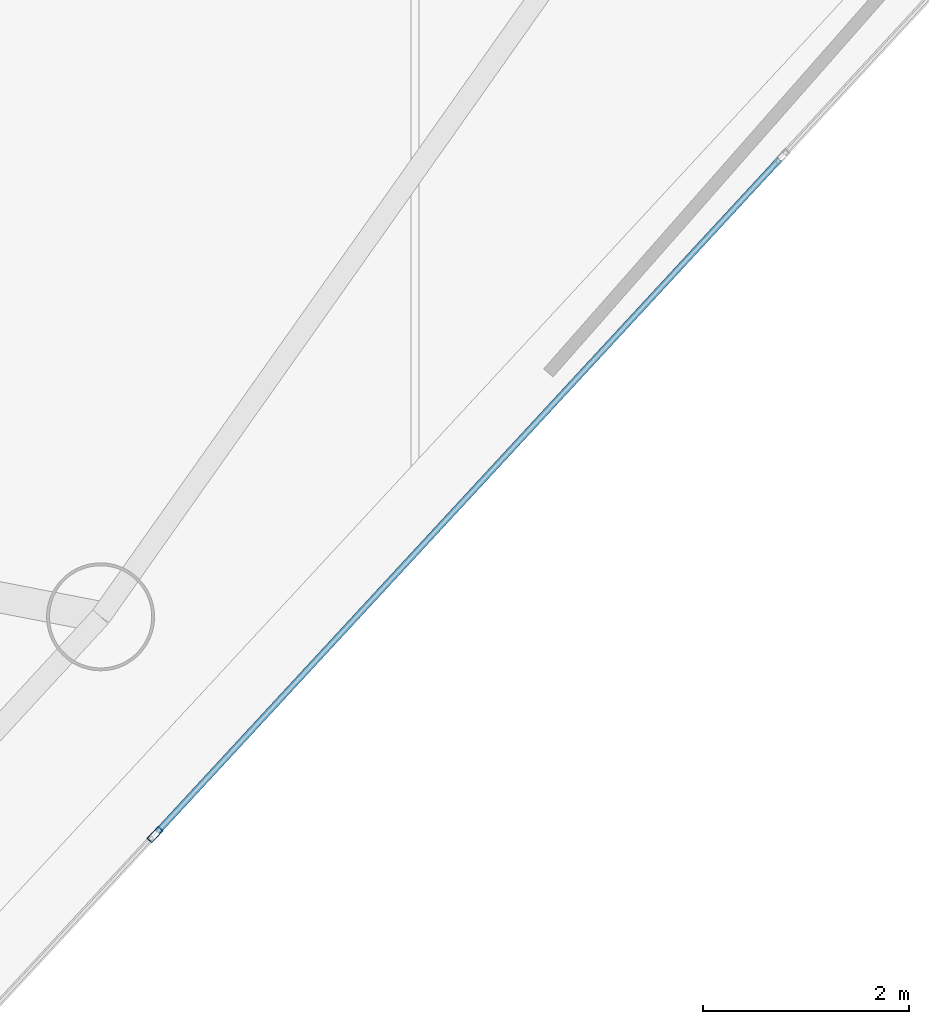
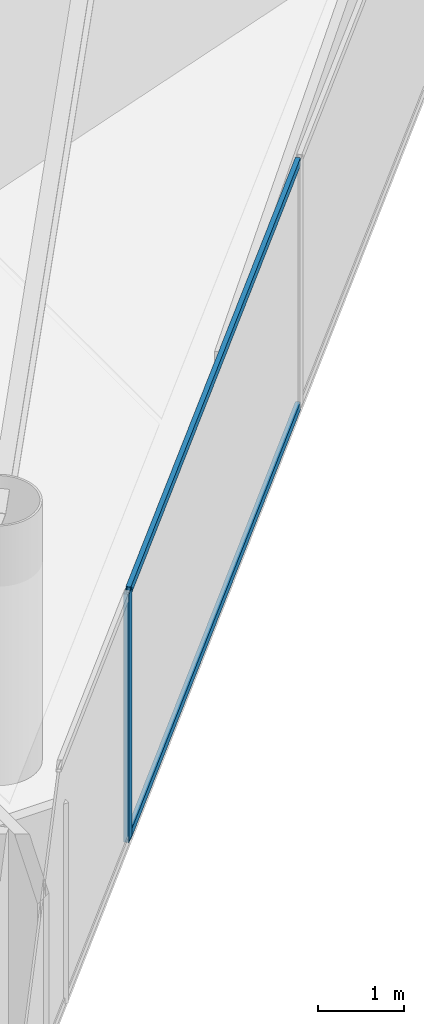
# One storey, part 6 of 21: 3 members, 1 element without a shape of its own.
"""IFC4 building model written with IfcOpenShell, lengths in metres."""

import ifcopenshell
import ifcopenshell.guid

model = None  # the IFC model being written
_history = None  # IfcOwnerHistory: only IFC2X3 demands one
_inside = {}  # id of a spatial element -> (the spatial element, [elements in it])
_under = {}  # id of a project, library or spatial element -> (it, [spatial elements below it])
_declared = {}  # id of a project -> (the project, [libraries it declares])
_typed = {}  # id of a type object -> (the type object, [elements of that type])
_made_of = {}  # id of a material, layer set ... -> (it, [elements and type objects made of it])


def new_model(schema):
    """Start an empty IFC model of exactly this schema.

    Asked for "IFC4X3", IfcOpenShell would pick the latest addendum, in which some entities
    have other attributes; the version numbers below select the first issue.
    IFC2X3 requires an IfcOwnerHistory on every rooted entity: one is made here for all.
    """
    global model, _history
    if schema == "IFC4X3":
        model = ifcopenshell.file(schema_version=(4, 3, 0, 0))
    else:
        model = ifcopenshell.file(schema=schema)
    _inside.clear()
    _under.clear()
    _declared.clear()
    _typed.clear()
    _made_of.clear()
    _history = None
    if model.schema == "IFC2X3":
        org = make("IfcOrganization", Name="unknown")
        user = make(
            "IfcPersonAndOrganization",
            ThePerson=make("IfcPerson", FamilyName="unknown"),
            TheOrganization=org,
        )
        app = make(
            "IfcApplication",
            ApplicationDeveloper=org,
            Version="unknown",
            ApplicationFullName="unknown",
            ApplicationIdentifier="unknown",
        )
        _history = make(
            "IfcOwnerHistory",
            OwningUser=user,
            OwningApplication=app,
            ChangeAction="ADDED",
            CreationDate=0,
        )
    return model


def make(cls, **values):
    """One entity of the class cls with the attributes given. An attribute that is None is left unset."""
    return model.create_entity(
        cls, **{name: value for name, value in values.items() if value is not None}
    )


def rooted(cls, **values):
    """An entity with a GlobalId (a new one), such as an element, a storey or a relation."""
    return make(cls, GlobalId=ifcopenshell.guid.new(), OwnerHistory=_history, **values)


def si_unit(unit_type, name, prefix=None):
    """IfcSIUnit, for example si_unit("LENGTHUNIT", "METRE", prefix="MILLI")."""
    return make("IfcSIUnit", UnitType=unit_type, Prefix=prefix, Name=name)


def assignment(units):
    """IfcUnitAssignment: the units of a project."""
    return None if units is None else make("IfcUnitAssignment", Units=units)


def point(xyz):
    """IfcCartesianPoint."""
    return None if xyz is None else make("IfcCartesianPoint", Coordinates=xyz)


def direction(xyz):
    """IfcDirection."""
    return None if xyz is None else make("IfcDirection", DirectionRatios=xyz)


def frame(location, z_axis=None, x_axis=None):
    """IfcAxis2Placement3D, a coordinate frame: its origin and axes. An axis left out is left unset."""
    return make(
        "IfcAxis2Placement3D",
        Location=point(location),
        Axis=direction(z_axis),
        RefDirection=direction(x_axis),
    )


def frame_2d(location, x_axis=None):
    """IfcAxis2Placement2D, a coordinate frame in the plane: its origin and x axis."""
    return make(
        "IfcAxis2Placement2D", Location=point(location), RefDirection=direction(x_axis)
    )


def origin():
    """The frame at (0, 0, 0) with its axes left unset."""
    return frame((0.0, 0.0, 0.0))


def origin_2d():
    """The frame at (0, 0) in the plane with its x axis left unset."""
    return frame_2d((0.0, 0.0))


def place(relative_to, where):
    """IfcLocalPlacement: puts the frame where relative to a parent placement (None: the world)."""
    return make(
        "IfcLocalPlacement", PlacementRelTo=relative_to, RelativePlacement=where
    )


def context(
    kind, dimensions, precision=None, world=None, true_north=None, identifier=None
):
    """IfcGeometricRepresentationContext, for example the 3D "Model" context."""
    return make(
        "IfcGeometricRepresentationContext",
        ContextIdentifier=identifier,
        ContextType=kind,
        CoordinateSpaceDimension=dimensions,
        Precision=precision,
        WorldCoordinateSystem=world,
        TrueNorth=true_north,
    )


def subcontext(parent, identifier, kind, view, scale=None):
    """IfcGeometricRepresentationSubContext, for example "Body" below "Model"."""
    return make(
        "IfcGeometricRepresentationSubContext",
        ContextIdentifier=identifier,
        ContextType=kind,
        ParentContext=parent,
        TargetScale=scale,
        TargetView=view,
    )


def project(units=None, contexts=None):
    """IfcProject with its units and contexts."""
    return rooted(
        "IfcProject",
        Name="project",
        RepresentationContexts=contexts,
        UnitsInContext=assignment(units),
    )


def spatial(cls, under=None, at=None, **own):
    """A site, building, storey or space (cls), placed at a placement, below another one or the project."""
    s = rooted(cls, ObjectPlacement=at, **own)
    if under is not None:
        _under.setdefault(under.id(), (under, []))[1].append(s)
    return s


def profile(cls, at=None, kind="AREA", **sizes):
    """A parametric profile (cls). Its sizes go by their IFC names, for example OverallWidth=200.0."""
    return make(cls, ProfileType=kind, Position=at, **sizes)


def hollow_rectangle(**sizes):
    """IfcRectangleHollowProfileDef."""
    return profile("IfcRectangleHollowProfileDef", **sizes)


def extrude(swept, where, along, depth):
    """IfcExtrudedAreaSolid: the profile swept, set in the frame where, extruded along a direction by depth."""
    return make(
        "IfcExtrudedAreaSolid",
        SweptArea=swept,
        Position=where,
        ExtrudedDirection=direction(along),
        Depth=depth,
    )


def shape(context_of_items, identifier, shape_type, items):
    """IfcShapeRepresentation: the items that make up one representation, for example the "Body"."""
    return make(
        "IfcShapeRepresentation",
        ContextOfItems=context_of_items,
        RepresentationIdentifier=identifier,
        RepresentationType=shape_type,
        Items=items,
    )


def material(Name=None, Category=None):
    """IfcMaterial."""
    return make("IfcMaterial", Name=Name, Category=Category)


def layer(
    of_material, thickness, ventilated=None, Name=None, Category=None, Priority=None
):
    """IfcMaterialLayer: one layer of a wall or slab, of a material (None: an air gap)."""
    return make(
        "IfcMaterialLayer",
        Material=of_material,
        LayerThickness=thickness,
        IsVentilated=ventilated,
        Name=Name,
        Category=Category,
        Priority=Priority,
    )


def layer_set(layers, Name=None):
    """IfcMaterialLayerSet."""
    return make("IfcMaterialLayerSet", MaterialLayers=layers, LayerSetName=Name)


def material_profile(
    of_material, cross_section, Name=None, Category=None, Priority=None
):
    """IfcMaterialProfile: a cross section and its material."""
    return make(
        "IfcMaterialProfile",
        Name=Name,
        Material=of_material,
        Profile=cross_section,
        Priority=Priority,
        Category=Category,
    )


def profile_set(profiles, Name=None, composite=None):
    """IfcMaterialProfileSet."""
    return make(
        "IfcMaterialProfileSet",
        Name=Name,
        MaterialProfiles=profiles,
        CompositeProfile=composite,
    )


def made_of(thing, what):
    """Note that an element or type object is made of a material, layer set ...; save() writes the relation."""
    if what is not None:
        _made_of.setdefault(what.id(), (what, []))[1].append(thing)
    return thing


def type_object(cls, material=None, **own):
    """A type object (cls), such as IfcWallType, which elements share."""
    return made_of(rooted(cls, **own), material)


def element(
    cls,
    number,
    at=None,
    inside=None,
    cuts=None,
    type_object=None,
    material=None,
    context=None,
    identifier="Body",
    shape_type=None,
    held_by="IfcProductDefinitionShape",
    body=None,
    shapes=None,
    **own,
):
    """One element of the class cls, such as IfcWall. Its Tag is "e" and its number.

    at: its placement. inside: the storey or other place that contains it. cuts: it is an
    opening in that element (IfcRelVoidsElement). A single representation is given by context,
    identifier, shape_type and body (its items); several are given by shapes. held_by: the class
    of the entity that holds the representations. save() writes the other relations.
    """
    e = rooted(cls, Tag="e%d" % number, ObjectPlacement=at, **own)
    if body is not None:
        shapes = [shape(context, identifier, shape_type, body)]
    if shapes is not None:
        e.Representation = make(held_by, Representations=shapes)
    if inside is not None:
        _inside.setdefault(inside.id(), (inside, []))[1].append(e)
    if cuts is not None:
        rooted(
            "IfcRelVoidsElement", RelatingBuildingElement=cuts, RelatedOpeningElement=e
        )
    if type_object is not None:
        _typed.setdefault(type_object.id(), (type_object, []))[1].append(e)
    return made_of(e, material)


def aggregate(whole, parts):
    """IfcRelAggregates: a whole, such as a stair, and the parts it consists of."""
    return rooted("IfcRelAggregates", RelatingObject=whole, RelatedObjects=parts)


def save(model, path):
    """Write the relations noted so far, then the file.

    IfcRelAggregates (storeys below a building ...), IfcRelContainedInSpatialStructure (elements
    in a storey), IfcRelDefinesByType, IfcRelAssociatesMaterial and IfcRelDeclares: one each for
    every whole, place, type object, material and project.
    """
    for whole, parts in _under.values():
        aggregate(whole, parts)
    for where, things in _inside.values():
        rooted(
            "IfcRelContainedInSpatialStructure",
            RelatedElements=things,
            RelatingStructure=where,
        )
    for kind, things in _typed.values():
        rooted("IfcRelDefinesByType", RelatedObjects=things, RelatingType=kind)
    for what, things in _made_of.values():
        rooted("IfcRelAssociatesMaterial", RelatedObjects=things, RelatingMaterial=what)
    for by, libraries in _declared.values():
        rooted("IfcRelDeclares", RelatingContext=by, RelatedDefinitions=libraries)
    model.write(path)


model = new_model("IFC4")

# Units and contexts
model_context = context("Model", 3, precision=1e-05, world=origin(), true_north=direction((0.0, 1.0)))
body_context = subcontext(model_context, "Body", "Model", "MODEL_VIEW")
ifc_project = project(units=[si_unit("LENGTHUNIT", "METRE"), si_unit("AREAUNIT", "SQUARE_METRE"), si_unit("VOLUMEUNIT", "CUBIC_METRE"), si_unit("PLANEANGLEUNIT", "RADIAN"), si_unit("MASSUNIT", "GRAM", prefix="KILO")], contexts=[model_context])

# Site, building, storey
site_placement = place(None, origin())
site = spatial("IfcSite", under=ifc_project, at=site_placement, CompositionType="ELEMENT")
building_placement = place(site_placement, origin())
building = spatial("IfcBuilding", under=site, at=building_placement, Name="Qianvela Tower", CompositionType="ELEMENT")
storey_placement = place(building_placement, frame((0.0, 0.0, 246.39990234375)))
storey = spatial("IfcBuildingStorey", under=building, at=storey_placement, Name="L63", CompositionType="ELEMENT", Elevation=246.39990234375)

# Curtain wall, members
ifc_material_1 = material(Name="Anodised Architectural Aluminium and Low-E Glass", Category="aluminium")
ifc_layer = layer(ifc_material_1, 0.159912109375)
ifc_layer_set = layer_set([ifc_layer], Name="Anodised Architectural Aluminium and Low-E Glass")
curtain_wall_type = type_object("IfcCurtainWallType", Name="CW-COLIV-Z56", PredefinedType="USERDEFINED", material=ifc_layer_set)
curtain_wall_placement = place(storey_placement, origin())
curtain_wall = element("IfcCurtainWall", 1, at=curtain_wall_placement, inside=storey, type_object=curtain_wall_type, Name="L63 CW-COLIV-Z56 Curtain Wall 06B", ObjectType="CURTAIN_WALL_SYSTEM", PredefinedType="USERDEFINED")
ifc_material_2 = material(Name="Anodised Architectural Aluminium 6063-T6", Category="aluminium")
ifc_material_profile_1 = material_profile(ifc_material_2, hollow_rectangle(XDim=0.06494140625, YDim=0.159912109375, WallThickness=0.0048828125, at=origin_2d()), Name="ALU-MULL-65x160")
ifc_profile_set_1 = profile_set([ifc_material_profile_1], Name="Anodised Architectural Aluminium 6063-T6")
member_type_1 = type_object("IfcMemberType", Name="CW-COLIV-Z56-MULL", PredefinedType="MULLION", material=ifc_profile_set_1)
member_1_placement = place(storey_placement, frame((45.96533203125, 18.481201171875, 0.0), z_axis=(0.0, 0.0, 1.0), x_axis=(-0.73412151482, 0.679018115722, 0.0)))
member_1 = element("IfcMember", 2, at=member_1_placement, type_object=member_type_1, Name="CW-5 mullion 2", PredefinedType="MULLION", context=body_context, shape_type="SweptSolid", body=[
    extrude(hollow_rectangle(XDim=0.06494140625, YDim=0.159912109375, WallThickness=0.0048828125, at=origin_2d()), origin(), (0.0, 0.0, 1.0), 3.52001953125),
])
ifc_material_3 = material(Name="Anodised Architectural Aluminium 6063-T6", Category="aluminium")
ifc_material_profile_2 = material_profile(ifc_material_3, hollow_rectangle(XDim=0.06005859375, YDim=0.114990234375, WallThickness=0.00390625, at=origin_2d()), Name="ALU-TRAN-60x115")
ifc_profile_set_2 = profile_set([ifc_material_profile_2], Name="Anodised Architectural Aluminium 6063-T6")
member_type_2 = type_object("IfcMemberType", Name="CW-COLIV-Z56-TRAN", PredefinedType="USERDEFINED", material=ifc_profile_set_2)
member_2_placement = place(storey_placement, frame((45.9873046875, 18.505126953125, 0.030029296875), z_axis=(0.679035337381, 0.73410558545, 0.0), x_axis=(-0.73410558545, 0.679035337381, 0.0)))
member_2 = element("IfcMember", 3, at=member_2_placement, type_object=member_type_2, Name="CW-5 transom 2.1", ObjectType="TRANSOM", PredefinedType="USERDEFINED", context=body_context, shape_type="SweptSolid", body=[
    extrude(hollow_rectangle(XDim=0.06005859375, YDim=0.114990234375, WallThickness=0.00390625, at=origin_2d()), origin(), (0.0, 0.0, 1.0), 8.910888671875),
])
member_3_placement = place(storey_placement, frame((45.9873046875, 18.505126953125, 3.489990234375), z_axis=(0.679035337381, 0.73410558545, 0.0), x_axis=(-0.73410558545, 0.679035337381, 0.0)))
member_3 = element("IfcMember", 4, at=member_3_placement, type_object=member_type_2, Name="CW-5 transom 2.2", ObjectType="TRANSOM", PredefinedType="USERDEFINED", context=body_context, shape_type="SweptSolid", body=[
    extrude(hollow_rectangle(XDim=0.06005859375, YDim=0.114990234375, WallThickness=0.00390625, at=origin_2d()), origin(), (0.0, 0.0, 1.0), 8.910888671875),
])
aggregate(curtain_wall, [member_1, member_2, member_3])

save(model, "model.ifc")
